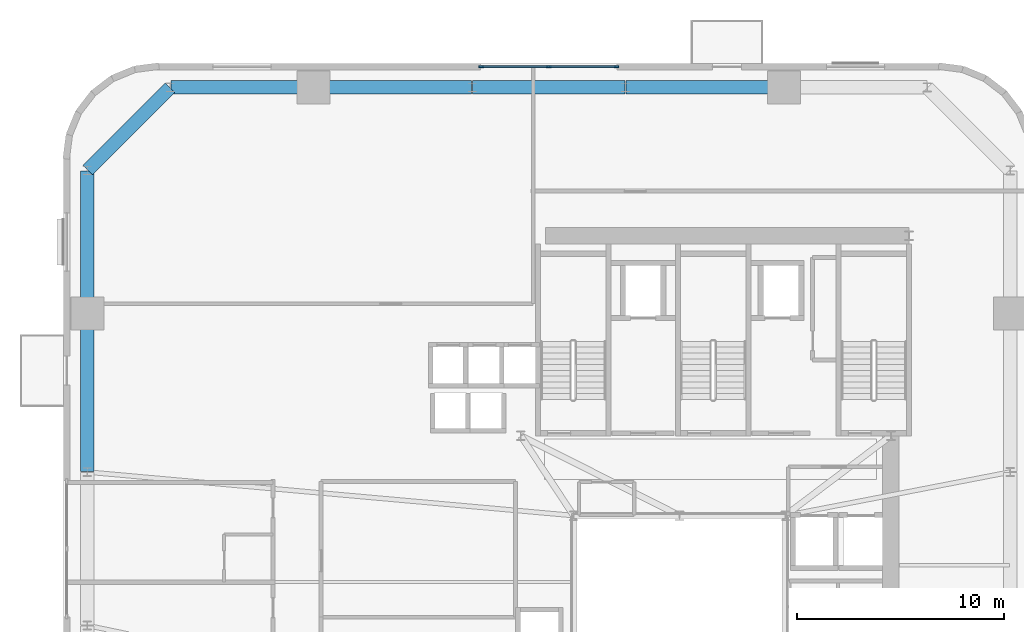
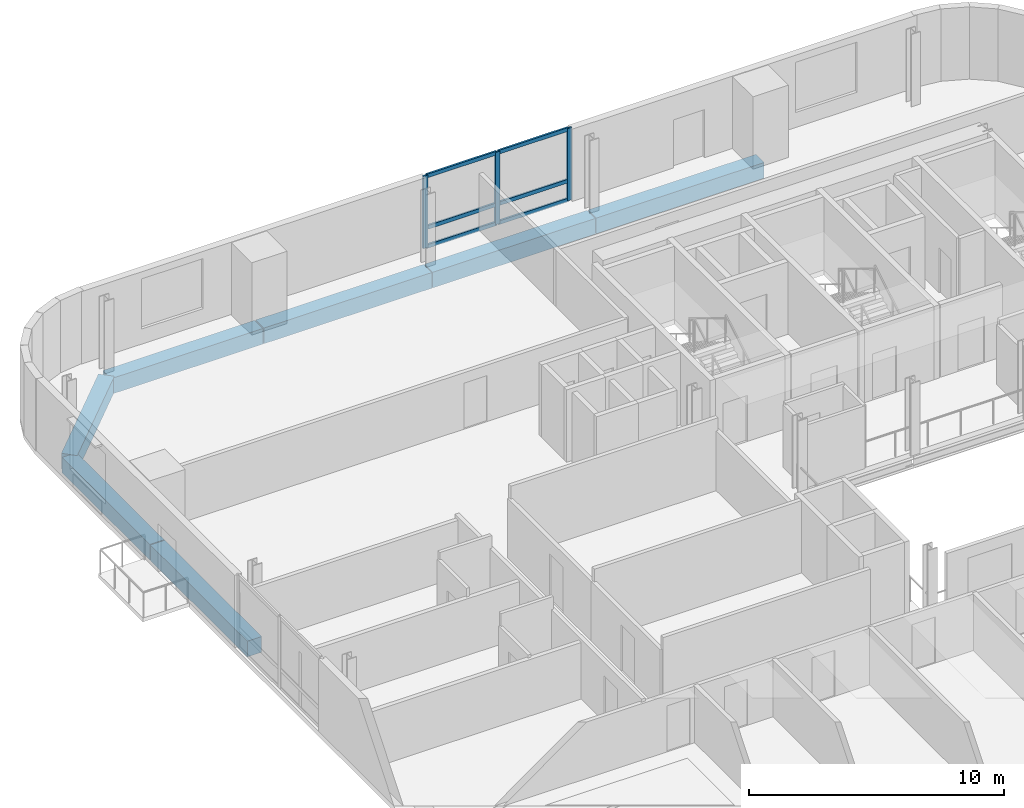
# One storey, part 4 of 11: 9 members, 7 beams, 1 element without a shape of its own.
"""IFC4 building model written with IfcOpenShell, lengths in metres."""

from ifc_helpers import new_model, si_unit, direction, frame, origin, origin_2d, place, context, subcontext, project, spatial, rectangle, extrude, source, transform, mapped, material, material_profile, profile_set, type_object, element, aggregate, save


model = new_model("IFC4")

# Units and contexts
model_context = context("Model", 3, precision=1e-05, world=origin(), true_north=direction((0.0, 1.0)))
body_context = subcontext(model_context, "Body", "Model", "MODEL_VIEW")
ifc_project = project(units=[si_unit("LENGTHUNIT", "METRE"), si_unit("AREAUNIT", "SQUARE_METRE"), si_unit("VOLUMEUNIT", "CUBIC_METRE"), si_unit("PLANEANGLEUNIT", "RADIAN"), si_unit("MASSUNIT", "GRAM", prefix="KILO")], contexts=[model_context])

# Site, building, storey
site_placement = place(None, origin())
site = spatial("IfcSite", under=ifc_project, at=site_placement, CompositionType="ELEMENT")
building_placement = place(site_placement, origin())
building = spatial("IfcBuilding", under=site, at=building_placement, Name="Vardaveli Station Tower", CompositionType="ELEMENT")
storey_placement = place(building_placement, frame((0.0, 0.0, 155.699951171875)))
storey = spatial("IfcBuildingStorey", under=building, at=storey_placement, Name="L40", CompositionType="ELEMENT", Elevation=155.699951171875)

# Beams
ifc_material_1 = material(Name="Precast concrete C45/55", Category="concrete")
ifc_material_profile_1 = material_profile(ifc_material_1, rectangle(XDim=0.64990234375, YDim=0.75, at=origin_2d()), Name="LPB 650x750")
ifc_profile_set_1 = profile_set([ifc_material_profile_1], Name="Precast concrete C45/55")
beam_type = type_object("IfcBeamType", Name="BM-LPB-750", PredefinedType="BEAM", material=ifc_profile_set_1)
shared_shape_1 = source(origin(), body_context, "Body", "SweptSolid", [
    extrude(rectangle(XDim=0.64990234375, YDim=0.75, at=origin_2d()), origin(), (0.0, 0.0, 1.0), 7.60009765625),
])
for number, where, z_axis, x_axis, name in (
    (1, (41.320068359375, 47.449951171875, -0.614990234375), (-1.0, 0.0, 0.0), (0.0, -1.0, 0.0), "RBM-L40-13"),
    (2, (26.280029296875, 47.449951171875, -0.614990234375), (-1.0, 0.0, 0.0), (0.0, -1.0, 0.0), "RBM-L40-15"),
    (3, (7.75, 36.52001953125, -0.614990234375), (0.0, -1.0, 0.0), (1.0, 0.0, 0.0), "RBM-L40-19"),
):
    element("IfcBeam", number, at=place(storey_placement, frame(where, z_axis=z_axis, x_axis=x_axis)), inside=storey, type_object=beam_type, Name=name, PredefinedType="BEAM", context=body_context, shape_type="MappedRepresentation", body=[
        mapped(shared_shape_1, transform((0.0, 0.0, 0.0), scale=1.0)),
    ])
shared_shape_2 = source(origin(), body_context, "Body", "SweptSolid", [
    extrude(rectangle(XDim=0.64990234375, YDim=0.75, at=origin_2d()), origin(), (0.0, 0.0, 1.0), 7.35986328125),
])
beam_1_placement = place(storey_placement, frame((33.679931640625, 47.449951171875, -0.614990234375), z_axis=(-1.0, 0.0, 0.0), x_axis=(0.0, -1.0, 0.0)))
element("IfcBeam", 4, at=beam_1_placement, inside=storey, type_object=beam_type, Name="RBM-L40-14", PredefinedType="BEAM", context=body_context, shape_type="MappedRepresentation", body=[
    mapped(shared_shape_2, transform((0.0, 0.0, 0.0), scale=1.0)),
])
shared_shape_3 = source(origin(), body_context, "Body", "SweptSolid", [
    extrude(rectangle(XDim=0.64990234375, YDim=0.75, at=origin_2d()), origin(), (0.0, 0.0, 1.0), 6.869873046875),
])
for number, where, z_axis, x_axis, name in (
    (5, (18.639892578125, 47.449951171875, -0.614990234375), (-1.0, 0.0, 0.0), (0.0, -1.0, 0.0), "RBM-L40-16"),
    (6, (7.75, 43.429931640625, -0.614990234375), (0.0, -1.0, 0.0), (1.0, 0.0, 0.0), "RBM-L40-18"),
):
    element("IfcBeam", number, at=place(storey_placement, frame(where, z_axis=z_axis, x_axis=x_axis)), inside=storey, type_object=beam_type, Name=name, PredefinedType="BEAM", context=body_context, shape_type="MappedRepresentation", body=[
        mapped(shared_shape_3, transform((0.0, 0.0, 0.0), scale=1.0)),
    ])
shared_shape_4 = source(origin(), body_context, "Body", "SweptSolid", [
    extrude(rectangle(XDim=0.64990234375, YDim=0.75, at=origin_2d()), origin(), (0.0, 0.0, 1.0), 5.61669921875),
])
beam_2_placement = place(storey_placement, frame((11.73583984375, 47.435791015625, -0.614990234375), z_axis=(-0.707106781187, -0.707106781187, 0.0), x_axis=(0.707106781187, -0.707106781187, 0.0)))
element("IfcBeam", 7, at=beam_2_placement, inside=storey, type_object=beam_type, Name="RBM-L40-17", PredefinedType="BEAM", context=body_context, shape_type="MappedRepresentation", body=[
    mapped(shared_shape_4, transform((0.0, 0.0, 0.0), scale=1.0)),
])

# Curtain wall, members
ifc_material_2 = material(Name="Travertine stone and solar-control glass", Category="masonry")
curtain_wall_type = type_object("IfcCurtainWallType", Name="CW-SYS-2", PredefinedType="NOTDEFINED", material=ifc_material_2)
curtain_wall_placement = place(storey_placement, origin())
curtain_wall = element("IfcCurtainWall", 8, at=curtain_wall_placement, inside=storey, type_object=curtain_wall_type, Name="CW-L40-N", PredefinedType="NOTDEFINED")
ifc_material_3 = material(Name="Anodised aluminium alloy 6063-T6", Category="aluminium")
ifc_material_profile_2 = material_profile(ifc_material_3, rectangle(XDim=0.0849609375, YDim=0.179931640625, at=origin_2d()), Name="CWT 85x180")
ifc_profile_set_2 = profile_set([ifc_material_profile_2], Name="Anodised aluminium alloy 6063-T6")
member_type_1 = type_object("IfcMemberType", Name="CW-SYS-2-TRAN", PredefinedType="NOTDEFINED", material=ifc_profile_set_2)
shared_shape_5 = source(origin(), body_context, "Body", "SweptSolid", [
    extrude(rectangle(XDim=0.0849609375, YDim=0.179931640625, at=origin_2d()), origin(), (0.0, 0.0, 1.0), 3.172607421875),
])
member_1_placement = place(storey_placement, frame((33.215087890625, 48.43994140625, 0.04248046875), z_axis=(-1.0, 0.0, 0.0), x_axis=(0.0, -1.0, 0.0)))
member_1 = element("IfcMember", 9, at=member_1_placement, type_object=member_type_1, Name="CW-2 transom 1.1", ObjectType="TRANSOM", PredefinedType="USERDEFINED", context=body_context, shape_type="MappedRepresentation", body=[
    mapped(shared_shape_5, transform((0.0, 0.0, 0.0), scale=1.0)),
])
member_2_placement = place(storey_placement, frame((33.215087890625, 48.43994140625, 0.949951171875), z_axis=(-1.0, 0.0, 0.0), x_axis=(0.0, -1.0, 0.0)))
member_2 = element("IfcMember", 10, at=member_2_placement, type_object=member_type_1, Name="CW-2 transom 1.2", ObjectType="TRANSOM", PredefinedType="USERDEFINED", context=body_context, shape_type="MappedRepresentation", body=[
    mapped(shared_shape_5, transform((0.0, 0.0, 0.0), scale=1.0)),
])
member_3_placement = place(storey_placement, frame((33.215087890625, 48.43994140625, 3.41748046875), z_axis=(-1.0, 0.0, 0.0), x_axis=(0.0, -1.0, 0.0)))
member_3 = element("IfcMember", 11, at=member_3_placement, type_object=member_type_1, Name="CW-2 transom 1.3", ObjectType="TRANSOM", PredefinedType="USERDEFINED", context=body_context, shape_type="MappedRepresentation", body=[
    mapped(shared_shape_5, transform((0.0, 0.0, 0.0), scale=1.0)),
])
member_4_placement = place(storey_placement, frame((29.95751953125, 48.43994140625, 0.04248046875), z_axis=(-1.0, 0.0, 0.0), x_axis=(0.0, -1.0, 0.0)))
member_4 = element("IfcMember", 12, at=member_4_placement, type_object=member_type_1, Name="CW-2 transom 2.1", ObjectType="TRANSOM", PredefinedType="USERDEFINED", context=body_context, shape_type="MappedRepresentation", body=[
    mapped(shared_shape_5, transform((0.0, 0.0, 0.0), scale=1.0)),
])
member_5_placement = place(storey_placement, frame((29.95751953125, 48.43994140625, 0.949951171875), z_axis=(-1.0, 0.0, 0.0), x_axis=(0.0, -1.0, 0.0)))
member_5 = element("IfcMember", 13, at=member_5_placement, type_object=member_type_1, Name="CW-2 transom 2.2", ObjectType="TRANSOM", PredefinedType="USERDEFINED", context=body_context, shape_type="MappedRepresentation", body=[
    mapped(shared_shape_5, transform((0.0, 0.0, 0.0), scale=1.0)),
])
member_6_placement = place(storey_placement, frame((29.95751953125, 48.43994140625, 3.41748046875), z_axis=(-1.0, 0.0, 0.0), x_axis=(0.0, -1.0, 0.0)))
member_6 = element("IfcMember", 14, at=member_6_placement, type_object=member_type_1, Name="CW-2 transom 2.3", ObjectType="TRANSOM", PredefinedType="USERDEFINED", context=body_context, shape_type="MappedRepresentation", body=[
    mapped(shared_shape_5, transform((0.0, 0.0, 0.0), scale=1.0)),
])
ifc_material_profile_3 = material_profile(ifc_material_3, rectangle(XDim=0.0849609375, YDim=0.219970703125, at=origin_2d()), Name="CWM 85x220")
ifc_profile_set_3 = profile_set([ifc_material_profile_3], Name="Anodised aluminium alloy 6063-T6")
member_type_2 = type_object("IfcMemberType", Name="CW-SYS-2-MULL", PredefinedType="MULLION", material=ifc_profile_set_3)
shared_shape_6 = source(origin(), body_context, "Body", "SweptSolid", [
    extrude(rectangle(XDim=0.0849609375, YDim=0.219970703125, at=origin_2d()), origin(), (0.0, 0.0, 1.0), 3.4599609375),
])
member_7_placement = place(storey_placement, frame((33.257568359375, 48.43994140625, 0.0), z_axis=(0.0, 0.0, 1.0), x_axis=(0.0, -1.0, 0.0)))
member_7 = element("IfcMember", 15, at=member_7_placement, type_object=member_type_2, Name="CW-2 mullion 1", PredefinedType="MULLION", context=body_context, shape_type="MappedRepresentation", body=[
    mapped(shared_shape_6, transform((0.0, 0.0, 0.0), scale=1.0)),
])
member_8_placement = place(storey_placement, frame((30.0, 48.43994140625, 0.0), z_axis=(0.0, 0.0, 1.0), x_axis=(0.0, -1.0, 0.0)))
member_8 = element("IfcMember", 16, at=member_8_placement, type_object=member_type_2, Name="CW-2 mullion 2", PredefinedType="MULLION", context=body_context, shape_type="MappedRepresentation", body=[
    mapped(shared_shape_6, transform((0.0, 0.0, 0.0), scale=1.0)),
])
member_9_placement = place(storey_placement, frame((26.742431640625, 48.43994140625, 0.0), z_axis=(0.0, 0.0, 1.0), x_axis=(0.0, -1.0, 0.0)))
member_9 = element("IfcMember", 17, at=member_9_placement, type_object=member_type_2, Name="CW-2 mullion 3", PredefinedType="MULLION", context=body_context, shape_type="MappedRepresentation", body=[
    mapped(shared_shape_6, transform((0.0, 0.0, 0.0), scale=1.0)),
])
aggregate(curtain_wall, [member_7, member_8, member_9, member_1, member_2, member_3, member_4, member_5, member_6])

save(model, "model.ifc")
